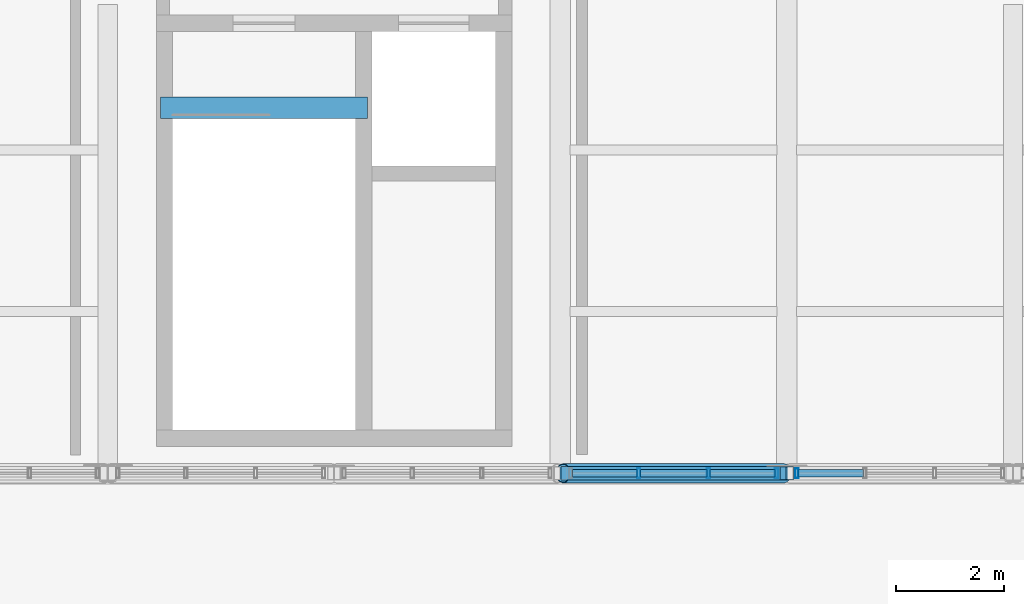
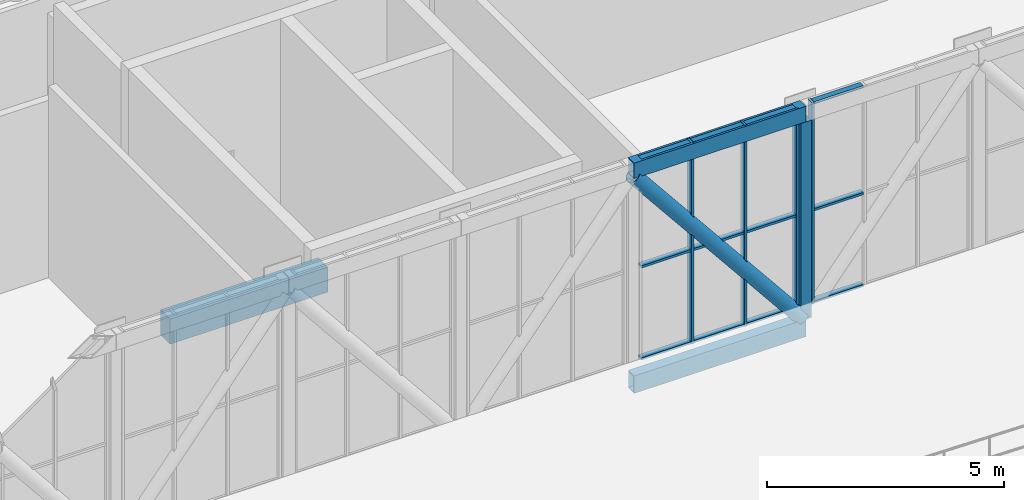
# One storey, part 19 of 58: 20 members, 1 beam, 2 elements without a shape of their own.
"""IFC4 building model written with IfcOpenShell, lengths in metres."""

from ifc_helpers import new_model, si_unit, direction, frame, origin, origin_2d, place, context, subcontext, project, spatial, rectangle, hollow_rectangle, hollow_circle, extrude, material, material_profile, profile_set, type_object, element, aggregate, save


model = new_model("IFC4")

# Units and contexts
model_context = context("Model", 3, precision=1e-05, world=origin(), true_north=direction((0.0, 1.0)))
body_context = subcontext(model_context, "Body", "Model", "MODEL_VIEW")
ifc_project = project(units=[si_unit("LENGTHUNIT", "METRE"), si_unit("AREAUNIT", "SQUARE_METRE"), si_unit("VOLUMEUNIT", "CUBIC_METRE"), si_unit("PLANEANGLEUNIT", "RADIAN"), si_unit("MASSUNIT", "GRAM", prefix="KILO")], contexts=[model_context])

# Site, building, storey
site_placement = place(None, origin())
site = spatial("IfcSite", under=ifc_project, at=site_placement, CompositionType="ELEMENT")
building_placement = place(site_placement, origin())
building = spatial("IfcBuilding", under=site, at=building_placement, Name="Khurvash Pelagic Aquarium", CompositionType="ELEMENT")
storey_placement = place(building_placement, frame((0.0, 0.0, 24.60009765625)))
storey = spatial("IfcBuildingStorey", under=building, at=storey_placement, Name="L05", CompositionType="ELEMENT", Elevation=24.60009765625)

# Beam
ifc_material_1 = material(Name="Concrete C35/45", Category="concrete")
ifc_material_profile_1 = material_profile(ifc_material_1, rectangle(XDim=0.39990234375, YDim=0.64990234375, at=origin_2d()), Name="RC400X650")
ifc_profile_set_1 = profile_set([ifc_material_profile_1], Name="Concrete C35/45")
beam_type = type_object("IfcBeamType", Name="BM-05", PredefinedType="BEAM", material=ifc_profile_set_1)
beam_placement = place(storey_placement, frame((59.780029296875, 18.429931640625, -0.625), z_axis=(1.0, 0.0, 0.0), x_axis=(0.0, 1.0, 0.0)))
element("IfcBeam", 1, at=beam_placement, inside=storey, type_object=beam_type, Name="L05 Stair ST-02 Header Trimmer Beam BM-05", PredefinedType="BEAM", context=body_context, shape_type="SweptSolid", body=[
    extrude(rectangle(XDim=0.39990234375, YDim=0.64990234375, at=origin_2d()), origin(), (0.0, 0.0, 1.0), 3.840087890625),
])

# Curtain wall, members
ifc_material_2 = material(Name="Anodised aluminium and low-E laminated glass", Category="aluminium")
curtain_wall_type = type_object("IfcCurtainWallType", Name="CW-01", PredefinedType="USERDEFINED", material=ifc_material_2)
curtain_wall_1_placement = place(storey_placement, origin())
curtain_wall_1 = element("IfcCurtainWall", 2, at=curtain_wall_1_placement, inside=storey, type_object=curtain_wall_type, Name="L05 South Sky-Bar Unitised Curtain Wall CW-01 P14", ObjectType="UNITISED CURTAIN WALL", PredefinedType="USERDEFINED")
ifc_material_3 = material(Name="Extruded aluminium AW-6063-T6", Category="aluminium")
ifc_material_profile_2 = material_profile(ifc_material_3, hollow_rectangle(XDim=0.06005859375, YDim=0.179931640625, WallThickness=0.00390625, at=origin_2d()), Name="CWM60X180X4")
ifc_profile_set_2 = profile_set([ifc_material_profile_2], Name="Extruded aluminium AW-6063-T6")
member_type_1 = type_object("IfcMemberType", Name="CM-01", PredefinedType="MULLION", material=ifc_profile_set_2)
member_1_placement = place(storey_placement, frame((68.6533203125, 11.64990234375, 0.0), z_axis=(0.0, 0.0, 1.0), x_axis=(1.0, 0.0, 0.0)))
member_1 = element("IfcMember", 3, at=member_1_placement, type_object=member_type_1, Name="CW-01 mullion 2", PredefinedType="MULLION", context=body_context, shape_type="SweptSolid", body=[
    extrude(hollow_rectangle(XDim=0.06005859375, YDim=0.179931640625, WallThickness=0.00390625, at=origin_2d()), origin(), (0.0, 0.0, 1.0), 5.179931640625),
])
member_2_placement = place(storey_placement, frame((69.94677734375, 11.64990234375, 0.0), z_axis=(0.0, 0.0, 1.0), x_axis=(1.0, 0.0, 0.0)))
member_2 = element("IfcMember", 4, at=member_2_placement, type_object=member_type_1, Name="CW-01 mullion 3", PredefinedType="MULLION", context=body_context, shape_type="SweptSolid", body=[
    extrude(hollow_rectangle(XDim=0.06005859375, YDim=0.179931640625, WallThickness=0.00390625, at=origin_2d()), origin(), (0.0, 0.0, 1.0), 5.179931640625),
])
member_3_placement = place(storey_placement, frame((71.2099609375, 11.64990234375, 0.0), z_axis=(0.0, 0.0, 1.0), x_axis=(1.0, 0.0, 0.0)))
member_3 = element("IfcMember", 5, at=member_3_placement, type_object=member_type_1, Name="CW-01 mullion 4", PredefinedType="MULLION", context=body_context, shape_type="SweptSolid", body=[
    extrude(hollow_rectangle(XDim=0.06005859375, YDim=0.179931640625, WallThickness=0.00390625, at=origin_2d()), origin(), (0.0, 0.0, 1.0), 5.179931640625),
])

# Curtain wall, member
curtain_wall_2_placement = place(storey_placement, origin())
curtain_wall_2 = element("IfcCurtainWall", 6, at=curtain_wall_2_placement, inside=storey, type_object=curtain_wall_type, Name="L05 South Sky-Bar Unitised Curtain Wall CW-01 P15", ObjectType="UNITISED CURTAIN WALL", PredefinedType="USERDEFINED")
member_4_placement = place(storey_placement, frame((71.590087890625, 11.64990234375, 0.0), z_axis=(0.0, 0.0, 1.0), x_axis=(1.0, 0.0, 0.0)))
member_4 = element("IfcMember", 7, at=member_4_placement, type_object=member_type_1, Name="CW-01 mullion 1", PredefinedType="MULLION", context=body_context, shape_type="SweptSolid", body=[
    extrude(hollow_rectangle(XDim=0.06005859375, YDim=0.179931640625, WallThickness=0.00390625, at=origin_2d()), origin(), (0.0, 0.0, 1.0), 5.179931640625),
])

# Member
ifc_material_profile_3 = material_profile(ifc_material_3, hollow_rectangle(XDim=0.139892578125, YDim=0.06005859375, WallThickness=0.00390625, at=origin_2d()), Name="CWT140X60X4")
ifc_profile_set_3 = profile_set([ifc_material_profile_3], Name="Extruded aluminium AW-6063-T6")
member_type_2 = type_object("IfcMemberType", Name="CT-01", PredefinedType="USERDEFINED", material=ifc_profile_set_3)
member_5_placement = place(storey_placement, frame((67.419921875, 11.64990234375, 0.02978515625), z_axis=(1.0, 0.0, 0.0), x_axis=(0.0, 1.0, 0.0)))
member_5 = element("IfcMember", 8, at=member_5_placement, type_object=member_type_2, Name="CW-01 transom 1.1", ObjectType="TRANSOM", PredefinedType="USERDEFINED", context=body_context, shape_type="SweptSolid", body=[
    extrude(hollow_rectangle(XDim=0.139892578125, YDim=0.06005859375, WallThickness=0.00390625, at=origin_2d()), origin(), (0.0, 0.0, 1.0), 1.203369140625),
])

member_6_placement = place(storey_placement, frame((67.419921875, 11.64990234375, 2.39990234375), z_axis=(1.0, 0.0, 0.0), x_axis=(0.0, 1.0, 0.0)))
member_6 = element("IfcMember", 9, at=member_6_placement, type_object=member_type_2, Name="CW-01 transom 1.2", ObjectType="TRANSOM", PredefinedType="USERDEFINED", context=body_context, shape_type="SweptSolid", body=[
    extrude(hollow_rectangle(XDim=0.139892578125, YDim=0.06005859375, WallThickness=0.00390625, at=origin_2d()), origin(), (0.0, 0.0, 1.0), 1.203369140625),
])

member_7_placement = place(storey_placement, frame((67.419921875, 11.64990234375, 5.14990234375), z_axis=(1.0, 0.0, 0.0), x_axis=(0.0, 1.0, 0.0)))
member_7 = element("IfcMember", 10, at=member_7_placement, type_object=member_type_2, Name="CW-01 transom 1.3", ObjectType="TRANSOM", PredefinedType="USERDEFINED", context=body_context, shape_type="SweptSolid", body=[
    extrude(hollow_rectangle(XDim=0.139892578125, YDim=0.06005859375, WallThickness=0.00390625, at=origin_2d()), origin(), (0.0, 0.0, 1.0), 1.203369140625),
])

member_8_placement = place(storey_placement, frame((68.683349609375, 11.64990234375, 0.02978515625), z_axis=(1.0, 0.0, 0.0), x_axis=(0.0, 1.0, 0.0)))
member_8 = element("IfcMember", 11, at=member_8_placement, type_object=member_type_2, Name="CW-01 transom 2.1", ObjectType="TRANSOM", PredefinedType="USERDEFINED", context=body_context, shape_type="SweptSolid", body=[
    extrude(hollow_rectangle(XDim=0.139892578125, YDim=0.06005859375, WallThickness=0.00390625, at=origin_2d()), origin(), (0.0, 0.0, 1.0), 1.2333984375),
])

member_9_placement = place(storey_placement, frame((68.683349609375, 11.64990234375, 2.39990234375), z_axis=(1.0, 0.0, 0.0), x_axis=(0.0, 1.0, 0.0)))
member_9 = element("IfcMember", 12, at=member_9_placement, type_object=member_type_2, Name="CW-01 transom 2.2", ObjectType="TRANSOM", PredefinedType="USERDEFINED", context=body_context, shape_type="SweptSolid", body=[
    extrude(hollow_rectangle(XDim=0.139892578125, YDim=0.06005859375, WallThickness=0.00390625, at=origin_2d()), origin(), (0.0, 0.0, 1.0), 1.2333984375),
])

member_10_placement = place(storey_placement, frame((68.683349609375, 11.64990234375, 5.14990234375), z_axis=(1.0, 0.0, 0.0), x_axis=(0.0, 1.0, 0.0)))
member_10 = element("IfcMember", 13, at=member_10_placement, type_object=member_type_2, Name="CW-01 transom 2.3", ObjectType="TRANSOM", PredefinedType="USERDEFINED", context=body_context, shape_type="SweptSolid", body=[
    extrude(hollow_rectangle(XDim=0.139892578125, YDim=0.06005859375, WallThickness=0.00390625, at=origin_2d()), origin(), (0.0, 0.0, 1.0), 1.2333984375),
])

member_11_placement = place(storey_placement, frame((69.9765625, 11.64990234375, 0.02978515625), z_axis=(1.0, 0.0, 0.0), x_axis=(0.0, 1.0, 0.0)))
member_11 = element("IfcMember", 14, at=member_11_placement, type_object=member_type_2, Name="CW-01 transom 3.1", ObjectType="TRANSOM", PredefinedType="USERDEFINED", context=body_context, shape_type="SweptSolid", body=[
    extrude(hollow_rectangle(XDim=0.139892578125, YDim=0.06005859375, WallThickness=0.00390625, at=origin_2d()), origin(), (0.0, 0.0, 1.0), 1.203369140625),
])

member_12_placement = place(storey_placement, frame((69.9765625, 11.64990234375, 2.39990234375), z_axis=(1.0, 0.0, 0.0), x_axis=(0.0, 1.0, 0.0)))
member_12 = element("IfcMember", 15, at=member_12_placement, type_object=member_type_2, Name="CW-01 transom 3.2", ObjectType="TRANSOM", PredefinedType="USERDEFINED", context=body_context, shape_type="SweptSolid", body=[
    extrude(hollow_rectangle(XDim=0.139892578125, YDim=0.06005859375, WallThickness=0.00390625, at=origin_2d()), origin(), (0.0, 0.0, 1.0), 1.203369140625),
])

member_13_placement = place(storey_placement, frame((69.9765625, 11.64990234375, 5.14990234375), z_axis=(1.0, 0.0, 0.0), x_axis=(0.0, 1.0, 0.0)))
member_13 = element("IfcMember", 16, at=member_13_placement, type_object=member_type_2, Name="CW-01 transom 3.3", ObjectType="TRANSOM", PredefinedType="USERDEFINED", context=body_context, shape_type="SweptSolid", body=[
    extrude(hollow_rectangle(XDim=0.139892578125, YDim=0.06005859375, WallThickness=0.00390625, at=origin_2d()), origin(), (0.0, 0.0, 1.0), 1.203369140625),
])

aggregate(curtain_wall_1, [member_1, member_2, member_3, member_5, member_6, member_7, member_8, member_9, member_10, member_11, member_12, member_13])

member_14_placement = place(storey_placement, frame((71.6201171875, 11.64990234375, 0.02978515625), z_axis=(1.0, 0.0, 0.0), x_axis=(0.0, 1.0, 0.0)))
member_14 = element("IfcMember", 17, at=member_14_placement, type_object=member_type_2, Name="CW-01 transom 1.1", ObjectType="TRANSOM", PredefinedType="USERDEFINED", context=body_context, shape_type="SweptSolid", body=[
    extrude(hollow_rectangle(XDim=0.139892578125, YDim=0.06005859375, WallThickness=0.00390625, at=origin_2d()), origin(), (0.0, 0.0, 1.0), 1.203125),
])

member_15_placement = place(storey_placement, frame((71.6201171875, 11.64990234375, 2.39990234375), z_axis=(1.0, 0.0, 0.0), x_axis=(0.0, 1.0, 0.0)))
member_15 = element("IfcMember", 18, at=member_15_placement, type_object=member_type_2, Name="CW-01 transom 1.2", ObjectType="TRANSOM", PredefinedType="USERDEFINED", context=body_context, shape_type="SweptSolid", body=[
    extrude(hollow_rectangle(XDim=0.139892578125, YDim=0.06005859375, WallThickness=0.00390625, at=origin_2d()), origin(), (0.0, 0.0, 1.0), 1.203125),
])

member_16_placement = place(storey_placement, frame((71.6201171875, 11.64990234375, 5.14990234375), z_axis=(1.0, 0.0, 0.0), x_axis=(0.0, 1.0, 0.0)))
member_16 = element("IfcMember", 19, at=member_16_placement, type_object=member_type_2, Name="CW-01 transom 1.3", ObjectType="TRANSOM", PredefinedType="USERDEFINED", context=body_context, shape_type="SweptSolid", body=[
    extrude(hollow_rectangle(XDim=0.139892578125, YDim=0.06005859375, WallThickness=0.00390625, at=origin_2d()), origin(), (0.0, 0.0, 1.0), 1.203125),
])

aggregate(curtain_wall_2, [member_4, member_14, member_15, member_16])

# Members
ifc_material_4 = material(Name="Steel S355J2", Category="steel")
ifc_material_profile_4 = material_profile(ifc_material_4, hollow_rectangle(XDim=0.25, YDim=0.449951171875, WallThickness=0.02001953125, at=origin_2d()), Name="RHS450X250X20")
ifc_profile_set_4 = profile_set([ifc_material_profile_4], Name="Steel S355J2")
member_type_3 = type_object("IfcMemberType", Name="TC-01", PredefinedType="CHORD", material=ifc_profile_set_4)
member_17_placement = place(storey_placement, frame((67.2099609375, 11.64990234375, -0.525146484375), z_axis=(1.0, 0.0, 0.0), x_axis=(0.0, 1.0, 0.0)))
element("IfcMember", 20, at=member_17_placement, inside=storey, type_object=member_type_3, Name="L05 South Sky-Bar Warren Truss Bottom Chord TC-01 P14", PredefinedType="CHORD", context=body_context, shape_type="SweptSolid", body=[
    extrude(hollow_rectangle(XDim=0.25, YDim=0.449951171875, WallThickness=0.02001953125, at=origin_2d()), origin(), (0.0, 0.0, 1.0), 4.179931640625),
])
ifc_material_profile_5 = material_profile(ifc_material_4, hollow_rectangle(XDim=0.25, YDim=0.39990234375, WallThickness=0.01611328125, at=origin_2d()), Name="RHS400X250X16")
ifc_profile_set_5 = profile_set([ifc_material_profile_5], Name="Steel S355J2")
member_type_4 = type_object("IfcMemberType", Name="TC-02", PredefinedType="CHORD", material=ifc_profile_set_5)
member_18_placement = place(storey_placement, frame((67.2099609375, 11.64990234375, 4.97998046875), z_axis=(1.0, 0.0, 0.0), x_axis=(0.0, 1.0, 0.0)))
element("IfcMember", 21, at=member_18_placement, inside=storey, type_object=member_type_4, Name="L05 South Sky-Bar Warren Truss Top Chord TC-02 P14", PredefinedType="CHORD", context=body_context, shape_type="SweptSolid", body=[
    extrude(hollow_rectangle(XDim=0.25, YDim=0.39990234375, WallThickness=0.01611328125, at=origin_2d()), origin(), (0.0, 0.0, 1.0), 4.179931640625),
])
ifc_material_profile_6 = material_profile(ifc_material_4, hollow_circle(Radius=0.177734375, WallThickness=0.01416015625, at=origin_2d()), Name="CHS355X14")
ifc_profile_set_6 = profile_set([ifc_material_profile_6], Name="Steel S355J2")
member_type_5 = type_object("IfcMemberType", Name="TD-02", PredefinedType="BRACE", material=ifc_profile_set_6)
member_19_placement = place(storey_placement, frame((67.25, 11.64990234375, 4.77978515625), z_axis=(0.628073304864, 0.0, -0.778154177343), x_axis=(0.0, 1.0, 0.0)))
element("IfcMember", 22, at=member_19_placement, inside=storey, type_object=member_type_5, Name="L05 South Sky-Bar Warren Truss Diagonal TD-02 P14", PredefinedType="BRACE", context=body_context, shape_type="SweptSolid", body=[
    extrude(hollow_circle(Radius=0.177734375, WallThickness=0.01416015625, at=origin_2d()), origin(), (0.0, 0.0, 1.0), 6.528076171875),
])
ifc_material_profile_7 = material_profile(ifc_material_4, hollow_rectangle(XDim=0.25, YDim=0.25, WallThickness=0.012451171875, at=origin_2d()), Name="SHS250X250X12")
ifc_profile_set_7 = profile_set([ifc_material_profile_7], Name="Steel S355J2")
member_type_6 = type_object("IfcMemberType", Name="TV-02", PredefinedType="POST", material=ifc_profile_set_7)
member_20_placement = place(storey_placement, frame((71.39990234375, 11.64990234375, -0.300048828125), z_axis=(0.0, 0.0, 1.0), x_axis=(1.0, 0.0, 0.0)))
element("IfcMember", 23, at=member_20_placement, inside=storey, type_object=member_type_6, Name="L05 South Sky-Bar Truss Post TV-02 N15", PredefinedType="POST", context=body_context, shape_type="SweptSolid", body=[
    extrude(hollow_rectangle(XDim=0.25, YDim=0.25, WallThickness=0.012451171875, at=origin_2d()), origin(), (0.0, 0.0, 1.0), 5.079833984375),
])

save(model, "model.ifc")
